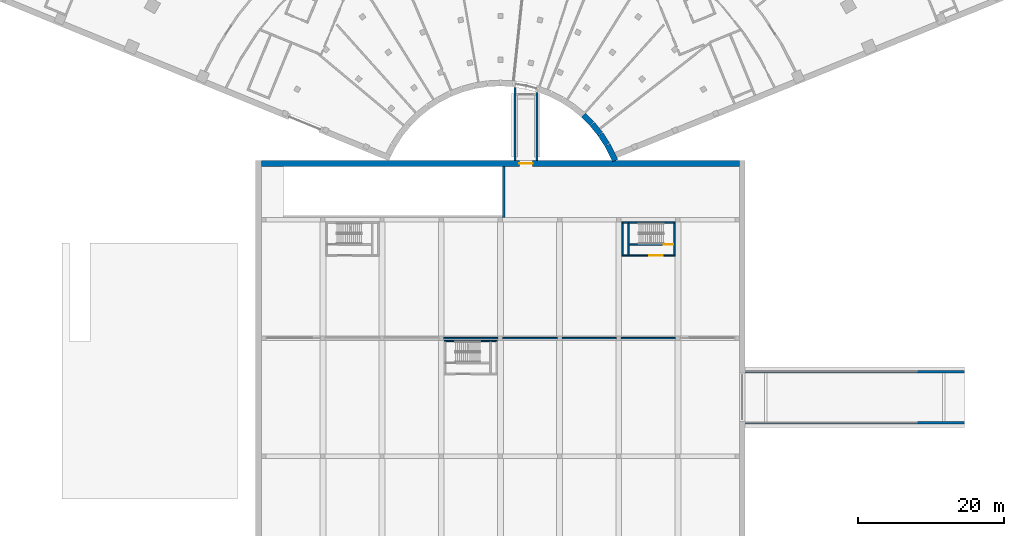
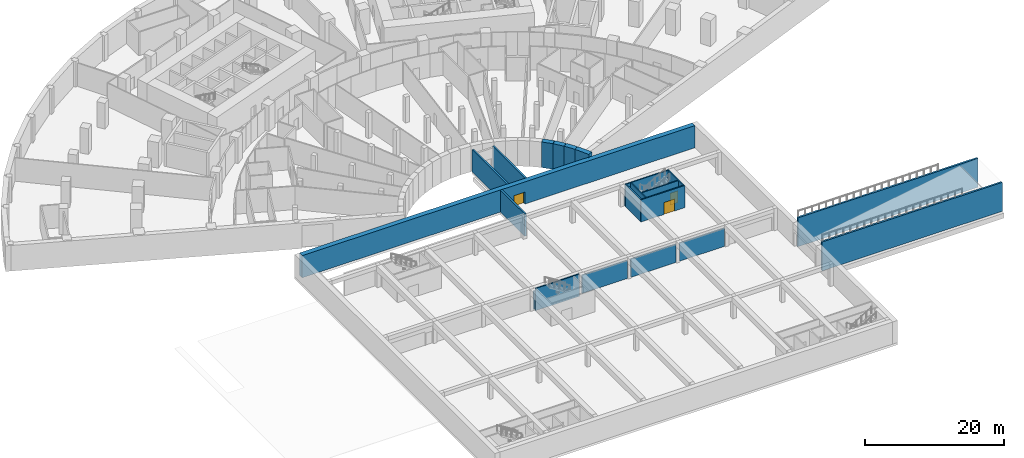
# One storey, part 5 of 23: 21 walls, 3 doors, 3 openings.
"""IFC4 building model written with IfcOpenShell, lengths in metres."""

from ifc_helpers import new_model, si_unit, direction, frame, frame_2d, origin, place, context, subcontext, project, spatial, rectangle, extrude, material, layer, layer_set, type_object, element, fill, save


model = new_model("IFC4")

# Units and contexts
model_context = context("Model", 3, precision=1e-05, world=origin(), true_north=direction((0.0, 1.0)))
body_context = subcontext(model_context, "Body", "Model", "MODEL_VIEW")
ifc_project = project(units=[si_unit("LENGTHUNIT", "METRE"), si_unit("AREAUNIT", "SQUARE_METRE"), si_unit("VOLUMEUNIT", "CUBIC_METRE"), si_unit("PLANEANGLEUNIT", "RADIAN"), si_unit("MASSUNIT", "GRAM", prefix="KILO")], contexts=[model_context])

# Site, building, storey
site_placement = place(None, origin())
site = spatial("IfcSite", under=ifc_project, at=site_placement, CompositionType="ELEMENT")
building_placement = place(site_placement, origin())
building = spatial("IfcBuilding", under=site, at=building_placement, Name="Stone Belt Terrace Tower", CompositionType="ELEMENT")
storey_placement = place(building_placement, frame((0.0, 0.0, -4.5)))
storey = spatial("IfcBuildingStorey", under=building, at=storey_placement, Name="B1", CompositionType="ELEMENT", Elevation=-4.5)

# Walls
ifc_material_1 = material(Name="Concrete B30", Category="concrete")
ifc_layer_1 = layer(ifc_material_1, 0.800048828125)
ifc_layer_set_1 = layer_set([ifc_layer_1], Name="Basement wall 800 B30")
wall_type_1 = type_object("IfcWallType", Name="Basement wall 800 B30", PredefinedType="SHEAR", material=ifc_layer_set_1)
for number, where, z_axis, x_axis, name in (
    (1, (11.323486328125, 12.544677734375, 0.0), (0.0, 0.0, 1.0), (0.707106781187, -0.707106781187, 0.0), "Basement wall B1 19"),
    (2, (12.57275390625, 11.29248046875, 0.0), (0.0, 0.0, 1.0), (0.629303947211, -0.777159277127, 0.0), "Basement wall B1 20"),
    (3, (13.68408203125, 9.916259765625, 0.0), (0.0, 0.0, 1.0), (0.544809461745, -0.83855986691, 0.0), "Basement wall B1 21"),
):
    element("IfcWall", number, at=place(storey_placement, frame(where, z_axis=z_axis, x_axis=x_axis)), inside=storey, type_object=wall_type_1, Name=name, PredefinedType="SHEAR", context=body_context, shape_type="SweptSolid", body=[
        extrude(rectangle(XDim=1.72705078125, YDim=0.800048828125, at=frame_2d((0.863525390625, 0.0))), origin(), (0.0, 0.0, 1.0), 4.5),
    ])
wall_1_placement = place(storey_placement, frame((14.645751953125, 8.431640625, 0.0), z_axis=(0.0, 0.0, 1.0), x_axis=(0.454017502274, -0.890992765195, 0.0)))
element("IfcWall", 4, at=wall_1_placement, inside=storey, type_object=wall_type_1, Name="Basement wall B1 22", PredefinedType="SHEAR", context=body_context, shape_type="SweptSolid", body=[
    extrude(rectangle(XDim=2.392333984375, YDim=0.800048828125, at=frame_2d((1.1962890625, 0.0))), origin(), (0.0, 0.0, 1.0), 4.5),
])

# Wall, opening, door
ifc_layer_2 = layer(ifc_material_1, 0.199951171875)
ifc_layer_set_2 = layer_set([ifc_layer_2], Name="Car park core wall 200 variant D")
wall_type_2 = type_object("IfcWallType", Name="Car park core wall 200 variant D", PredefinedType="SOLIDWALL", material=ifc_layer_set_2)
wall_2_placement = place(storey_placement, frame((16.60009765625, -6.699951171875, 0.0), z_axis=(0.0, 0.0, 1.0), x_axis=(1.0, 0.0, 0.0)))
wall_2 = element("IfcWall", 5, at=wall_2_placement, inside=storey, type_object=wall_type_2, Name="Car park stair 4 front wall", PredefinedType="SOLIDWALL", context=body_context, shape_type="SweptSolid", body=[
    extrude(rectangle(XDim=7.2998046875, YDim=0.199951171875, at=frame_2d((3.64990234375, 0.0))), origin(), (0.0, 0.0, 1.0), 3.89990234375),
])
opening_1_placement = place(wall_2_placement, frame((3.800048828125, 0.0, 0.0)))
opening_1 = element("IfcOpeningElement", 6, at=opening_1_placement, cuts=wall_2, Name="Opening B1-S23", PredefinedType="OPENING", context=body_context, shape_type="SweptSolid", body=[
    extrude(rectangle(XDim=1.800048828125, YDim=2.10009765625, at=frame_2d((0.89990234375, 1.050048828125))), frame((0.0, 0.10986328125, 0.0), z_axis=(0.0, -1.0, 0.0), x_axis=(1.0, 0.0, 0.0)), (0.0, 0.0, 1.0), 0.219970703125),
])
ifc_material_2 = material(Name="Steel door leaf", Category="steel")
door_type_1 = type_object("IfcDoorType", Name="Core door pair 1800 fire rated", OperationType="DOUBLE_DOOR_DOUBLE_SWING", PredefinedType="DOOR", material=ifc_material_2)
door_1_placement = place(opening_1_placement, origin())
door_1 = element("IfcDoor", 7, at=door_1_placement, inside=storey, type_object=door_type_1, Name="Car park stair 4 vestibule door", OperationType="SINGLE_SWING_LEFT", OverallHeight=2.10009765625, OverallWidth=1.800048828125, PredefinedType="DOOR", context=body_context, shape_type="SweptSolid", body=[
    extrude(rectangle(XDim=1.800048828125, YDim=2.10009765625, at=frame_2d((0.89990234375, 1.050048828125))), frame((0.0, 0.02490234375, 0.0), z_axis=(0.0, -1.0, 0.0), x_axis=(1.0, 0.0, 0.0)), (0.0, 0.0, 1.0), 0.050048828125),
])
fill(opening_1, door_1)

# Walls
for number, where, z_axis, x_axis, name in (
    (8, (23.800048828125, -6.60009765625, 0.0), (0.0, 0.0, 1.0), (0.0, 1.0, 0.0), "Car park stair 4 wall"),
    (9, (17.5400390625, -6.60009765625, 0.0), (0.0, 0.0, 1.0), (0.0, 1.0, 0.0), "Car park stair 4 wall"),
):
    element("IfcWall", number, at=place(storey_placement, frame(where, z_axis=z_axis, x_axis=x_axis)), inside=storey, type_object=wall_type_2, Name=name, PredefinedType="SOLIDWALL", context=body_context, shape_type="SweptSolid", body=[
        extrude(rectangle(XDim=4.300048828125, YDim=0.199951171875, at=frame_2d((2.14990234375, 0.0))), origin(), (0.0, 0.0, 1.0), 3.89990234375),
    ])
wall_3_placement = place(storey_placement, frame((16.60009765625, -2.199951171875, 0.0), z_axis=(0.0, 0.0, 1.0), x_axis=(1.0, 0.0, 0.0)))
element("IfcWall", 10, at=wall_3_placement, inside=storey, type_object=wall_type_2, Name="Car park stair 4 wall", PredefinedType="SOLIDWALL", context=body_context, shape_type="SweptSolid", body=[
    extrude(rectangle(XDim=7.2998046875, YDim=0.199951171875, at=frame_2d((3.64990234375, 0.0))), origin(), (0.0, 0.0, 1.0), 3.89990234375),
])
wall_4_placement = place(storey_placement, frame((16.699951171875, -6.60009765625, 0.0), z_axis=(0.0, 0.0, 1.0), x_axis=(0.0, 1.0, 0.0)))
element("IfcWall", 11, at=wall_4_placement, inside=storey, type_object=wall_type_2, Name="Car park stair 4 wall", PredefinedType="SOLIDWALL", context=body_context, shape_type="SweptSolid", body=[
    extrude(rectangle(XDim=4.300048828125, YDim=0.199951171875, at=frame_2d((2.14990234375, 0.0))), origin(), (0.0, 0.0, 1.0), 3.89990234375),
])

# Wall, opening, door
wall_5_placement = place(storey_placement, frame((17.639892578125, -5.199951171875, 0.0), z_axis=(0.0, 0.0, 1.0), x_axis=(1.0, 0.0, 0.0)))
wall_5 = element("IfcWall", 12, at=wall_5_placement, inside=storey, type_object=wall_type_2, Name="Car park stair 4 vestibule wall", PredefinedType="SOLIDWALL", context=body_context, shape_type="SweptSolid", body=[
    extrude(rectangle(XDim=6.06005859375, YDim=0.199951171875, at=frame_2d((3.030029296875, 0.0))), origin(), (0.0, 0.0, 1.0), 3.89990234375),
])
opening_2_placement = place(wall_5_placement, frame((4.735107421875, 0.0, 0.0)))
opening_2 = element("IfcOpeningElement", 13, at=opening_2_placement, cuts=wall_5, Name="Opening B1-S22", PredefinedType="OPENING", context=body_context, shape_type="SweptSolid", body=[
    extrude(rectangle(XDim=1.300048828125, YDim=2.10009765625, at=frame_2d((0.64990234375, 1.050048828125))), frame((0.0, 0.10986328125, 0.0), z_axis=(0.0, -1.0, 0.0), x_axis=(1.0, 0.0, 0.0)), (0.0, 0.0, 1.0), 0.219970703125),
])
door_type_2 = type_object("IfcDoorType", Name="Core door 1300 fire rated", OperationType="NOTDEFINED", PredefinedType="DOOR", material=ifc_material_2)
door_2_placement = place(opening_2_placement, origin())
door_2 = element("IfcDoor", 14, at=door_2_placement, inside=storey, type_object=door_type_2, Name="Stair 4 door", OperationType="SINGLE_SWING_RIGHT", OverallHeight=2.10009765625, OverallWidth=1.300048828125, PredefinedType="DOOR", context=body_context, shape_type="SweptSolid", body=[
    extrude(rectangle(XDim=1.300048828125, YDim=2.10009765625, at=frame_2d((0.64990234375, 1.050048828125))), frame((0.0, 0.02490234375, 0.0), z_axis=(0.0, -1.0, 0.0), x_axis=(1.0, 0.0, 0.0)), (0.0, 0.0, 1.0), 0.050048828125),
])
fill(opening_2, door_2)

# Walls
wall_6_placement = place(storey_placement, frame((-7.699951171875, -18.39990234375, 0.0), z_axis=(0.0, 0.0, 1.0), x_axis=(1.0, 0.0, 0.0)))
element("IfcWall", 15, at=wall_6_placement, inside=storey, type_object=wall_type_2, Name="Car park stair 5 wall", PredefinedType="SOLIDWALL", context=body_context, shape_type="SweptSolid", body=[
    extrude(rectangle(XDim=7.300048828125, YDim=0.199951171875, at=frame_2d((3.64990234375, 0.0))), origin(), (0.0, 0.0, 1.0), 3.89990234375),
])
ifc_layer_3 = layer(ifc_material_1, 0.300048828125)
ifc_layer_set_3 = layer_set([ifc_layer_3], Name="Car park corridor wall 300")
wall_type_3 = type_object("IfcWallType", Name="Car park corridor wall 300", PredefinedType="SOLIDWALL", material=ifc_layer_set_3)
wall_7_placement = place(storey_placement, frame((2.0, 6.300048828125, 0.0), z_axis=(0.0, 0.0, 1.0), x_axis=(0.0, 1.0, 0.0)))
element("IfcWall", 16, at=wall_7_placement, inside=storey, type_object=wall_type_3, Name="Link corridor wall", PredefinedType="SOLIDWALL", context=body_context, shape_type="SweptSolid", body=[
    extrude(rectangle(XDim=10.01904296875, YDim=0.300048828125, at=frame_2d((5.009521484375, 0.0))), origin(), (0.0, 0.0, 1.0), 3.89990234375),
])
wall_8_placement = place(storey_placement, frame((5.0, 6.300048828125, 0.0), z_axis=(0.0, 0.0, 1.0), x_axis=(0.0, 1.0, 0.0)))
element("IfcWall", 17, at=wall_8_placement, inside=storey, type_object=wall_type_3, Name="Link corridor wall", PredefinedType="SOLIDWALL", context=body_context, shape_type="SweptSolid", body=[
    extrude(rectangle(XDim=9.33349609375, YDim=0.300048828125, at=frame_2d((4.666748046875, 0.0))), origin(), (0.0, 0.0, 1.0), 3.89990234375),
])
ifc_layer_4 = layer(ifc_material_1, 0.300048828125)
ifc_layer_set_4 = layer_set([ifc_layer_4], Name="Car park ramp wall 300 variant A")
wall_type_4 = type_object("IfcWallType", Name="Car park ramp wall 300 variant A", PredefinedType="SOLIDWALL", material=ifc_layer_set_4)
wall_9_placement = place(storey_placement, frame((0.449951171875, -1.5, 0.0), z_axis=(0.0, 0.0, 1.0), x_axis=(0.0, 1.0, 0.0)))
element("IfcWall", 18, at=wall_9_placement, inside=storey, type_object=wall_type_4, Name="Car park ramp end wall", PredefinedType="SOLIDWALL", context=body_context, shape_type="SweptSolid", body=[
    extrude(rectangle(XDim=7.0, YDim=0.300048828125, at=frame_2d((3.5, 0.0))), origin(), (0.0, 0.0, 1.0), 3.89990234375),
])
ifc_layer_5 = layer(ifc_material_1, 0.300048828125)
ifc_layer_set_5 = layer_set([ifc_layer_5], Name="Car park ramp wall 300 variant B")
wall_type_5 = type_object("IfcWallType", Name="Car park ramp wall 300 variant B", PredefinedType="SOLIDWALL", material=ifc_layer_set_5)
for number, where, z_axis, x_axis, name in (
    (19, (33.5, -29.60009765625, -0.60009765625), (0.0, 0.0, 1.0), (1.0, 0.0, 0.0), "Entrance ramp trench wall"),
    (20, (33.5, -22.60009765625, -0.60009765625), (0.0, 0.0, 1.0), (1.0, 0.0, 0.0), "Entrance ramp trench wall"),
):
    element("IfcWall", number, at=place(storey_placement, frame(where, z_axis=z_axis, x_axis=x_axis)), inside=storey, type_object=wall_type_5, Name=name, PredefinedType="SOLIDWALL", context=body_context, shape_type="SweptSolid", body=[
        extrude(rectangle(XDim=30.0, YDim=0.300048828125, at=frame_2d((15.0, 0.0))), origin(), (0.0, 0.0, 1.0), 5.10009765625),
    ])

# Wall, opening, door
ifc_layer_6 = layer(ifc_material_1, 0.800048828125)
ifc_layer_set_6 = layer_set([ifc_layer_6], Name="Car park retaining wall 800 variant A")
wall_type_6 = type_object("IfcWallType", Name="Car park retaining wall 800 variant A", PredefinedType="SOLIDWALL", material=ifc_layer_set_6)
wall_10_placement = place(storey_placement, frame((-32.699951171875, 5.89990234375, 0.0), z_axis=(0.0, 0.0, 1.0), x_axis=(1.0, 0.0, 0.0)))
wall_10 = element("IfcWall", 21, at=wall_10_placement, inside=storey, type_object=wall_type_6, Name="Car park retaining wall north", PredefinedType="SOLIDWALL", context=body_context, shape_type="SweptSolid", body=[
    extrude(rectangle(XDim=65.39990234375, YDim=0.800048828125, at=frame_2d((32.699951171875, 0.0))), origin(), (0.0, 0.0, 1.0), 3.89990234375),
])
opening_3_placement = place(wall_10_placement, frame((35.300048828125, 0.0, 0.0)))
opening_3 = element("IfcOpeningElement", 22, at=opening_3_placement, cuts=wall_10, Name="Opening B1-S01", PredefinedType="OPENING", context=body_context, shape_type="SweptSolid", body=[
    extrude(rectangle(XDim=1.800048828125, YDim=2.10009765625, at=frame_2d((0.89990234375, 1.050048828125))), frame((0.0, 0.409912109375, 0.0), z_axis=(0.0, -1.0, 0.0), x_axis=(1.0, 0.0, 0.0)), (0.0, 0.0, 1.0), 0.820068359375),
])
door_type_3 = type_object("IfcDoorType", Name="Corridor door pair 1800", OperationType="DOUBLE_DOOR_DOUBLE_SWING", PredefinedType="DOOR", material=ifc_material_2)
door_3_placement = place(opening_3_placement, origin())
door_3 = element("IfcDoor", 23, at=door_3_placement, inside=storey, type_object=door_type_3, Name="Link corridor door", OperationType="SINGLE_SWING_LEFT", OverallHeight=2.10009765625, OverallWidth=1.800048828125, PredefinedType="DOOR", context=body_context, shape_type="SweptSolid", body=[
    extrude(rectangle(XDim=1.800048828125, YDim=2.10009765625, at=frame_2d((0.89990234375, 1.050048828125))), frame((0.0, 0.02490234375, 0.0), z_axis=(0.0, -1.0, 0.0), x_axis=(1.0, 0.0, 0.0)), (0.0, 0.0, 1.0), 0.050048828125),
])
fill(opening_3, door_3)

# Walls
ifc_layer_7 = layer(ifc_material_1, 0.199951171875)
ifc_layer_set_7 = layer_set([ifc_layer_7], Name="Compartment wall 200 variant A")
wall_type_7 = type_object("IfcWallType", Name="Compartment wall 200 variant A", PredefinedType="SOLIDWALL", material=ifc_layer_set_7)
for number, where, z_axis, x_axis, name in (
    (24, (-7.800048828125, -18.0, 0.0), (0.0, 0.0, 1.0), (1.0, 0.0, 0.0), "Compartment wall B1 4"),
    (25, (0.300048828125, -18.0, 0.0), (0.0, 0.0, 1.0), (1.0, 0.0, 0.0), "Compartment wall B1 5"),
    (26, (8.39990234375, -18.0, 0.0), (0.0, 0.0, 1.0), (1.0, 0.0, 0.0), "Compartment wall B1 6"),
    (27, (16.5, -18.0, 0.0), (0.0, 0.0, 1.0), (1.0, 0.0, 0.0), "Compartment wall B1 7"),
):
    element("IfcWall", number, at=place(storey_placement, frame(where, z_axis=z_axis, x_axis=x_axis)), inside=storey, type_object=wall_type_7, Name=name, PredefinedType="SOLIDWALL", context=body_context, shape_type="SweptSolid", body=[
        extrude(rectangle(XDim=7.5, YDim=0.199951171875, at=frame_2d((3.75, 0.0))), origin(), (0.0, 0.0, 1.0), 3.199951171875),
    ])

save(model, "model.ifc")
